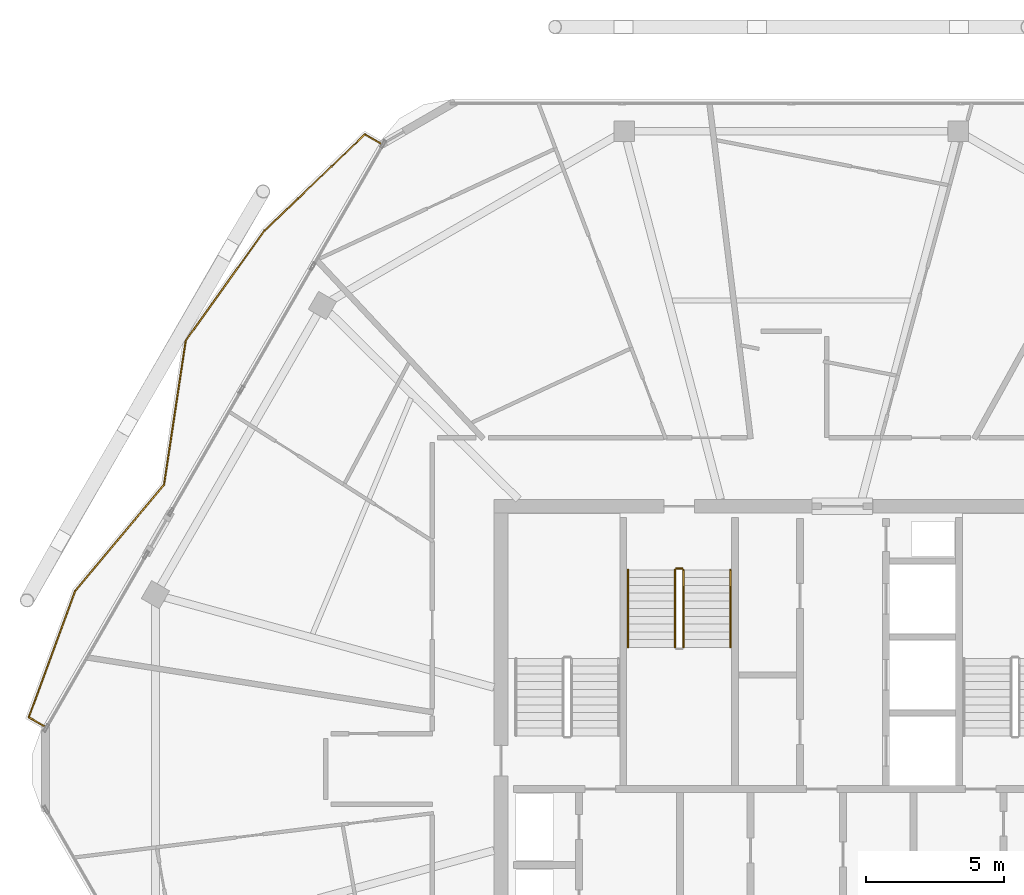
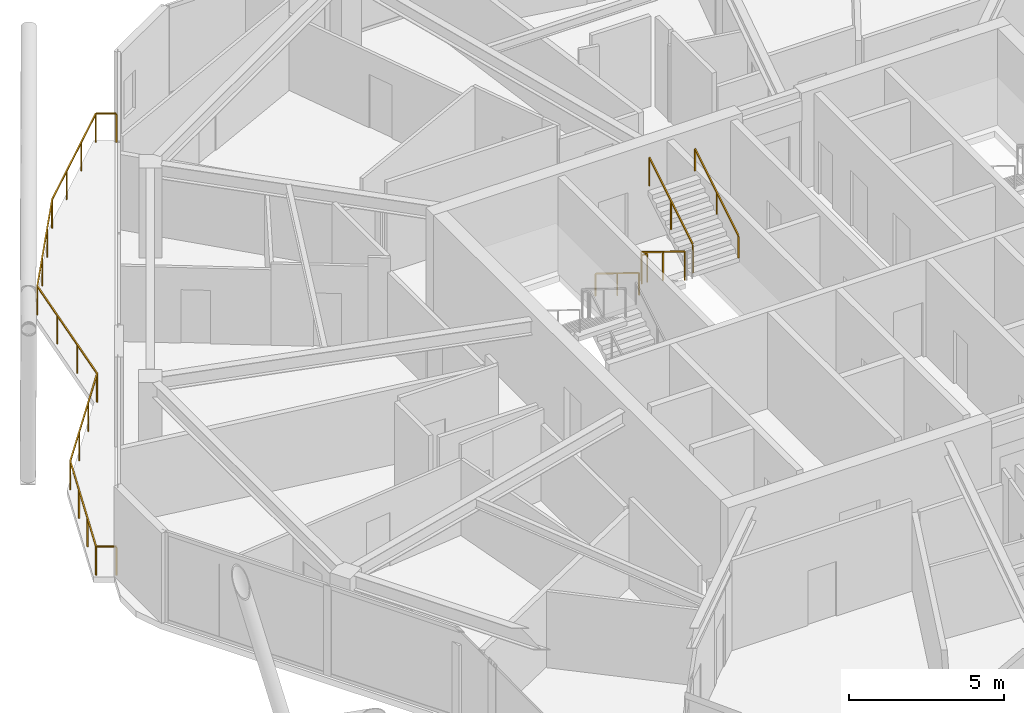
# One storey, part 24 of 24: 6 railings.
"""IFC4 building model written with IfcOpenShell, lengths in metres."""

from ifc_helpers import new_model, si_unit, direction, frame, origin, origin_2d, place, context, subcontext, project, spatial, rectangle, extrude, material, type_object, element, save


model = new_model("IFC4")

# Units and contexts
model_context = context("Model", 3, precision=1e-05, world=origin(), true_north=direction((0.0, 1.0)))
body_context = subcontext(model_context, "Body", "Model", "MODEL_VIEW")
ifc_project = project(units=[si_unit("LENGTHUNIT", "METRE"), si_unit("AREAUNIT", "SQUARE_METRE"), si_unit("VOLUMEUNIT", "CUBIC_METRE"), si_unit("PLANEANGLEUNIT", "RADIAN"), si_unit("MASSUNIT", "GRAM", prefix="KILO")], contexts=[model_context])

# Site, building, storey
site_placement = place(None, origin())
site = spatial("IfcSite", under=ifc_project, at=site_placement, CompositionType="ELEMENT")
building_placement = place(site_placement, origin())
building = spatial("IfcBuilding", under=site, at=building_placement, Name="Zuhravey Tower", CompositionType="ELEMENT")
storey_placement = place(building_placement, frame((0.0, 0.0, 338.60009765625)))
storey = spatial("IfcBuildingStorey", under=building, at=storey_placement, Name="L86", CompositionType="ELEMENT", Elevation=338.60009765625)

# Railings
ifc_material_1 = material(Name="Stainless steel 316 and laminated glass", Category="steel")
railing_type_1 = type_object("IfcRailingType", Name="Balcony & Terrace Guardrail 1150", PredefinedType="BALUSTRADE", material=ifc_material_1)
railing_1_placement = place(storey_placement, frame((8.993408203125, 33.54150390625, 0.0)))
element("IfcRailing", 1, at=railing_1_placement, inside=storey, type_object=railing_type_1, Name="L86 Face 3 Wave Balcony Guardrail GR1", PredefinedType="BALUSTRADE", context=body_context, shape_type="SweptSolid", body=[
    extrude(rectangle(XDim=0.048095703125, YDim=0.048095703125, at=origin_2d()), frame((-0.001708984375, 0.0009765625, 1.1259765625), z_axis=(-0.866011978186, 0.500023253097, 0.0), x_axis=(-0.500023253097, -0.866011978186, 0.0)), (0.0, 0.0, 1.0), 0.651611328125),
    extrude(rectangle(XDim=0.048095703125, YDim=0.048095703125, at=origin_2d()), frame((-0.567138671875, 0.329833984375, 1.1259765625), z_axis=(0.345100004619, 0.938565920334, 0.0), x_axis=(-0.938565920334, 0.345100004619, 0.0)), (0.0, 0.0, 1.0), 4.87451171875),
    extrude(rectangle(XDim=0.048095703125, YDim=0.048095703125, at=origin_2d()), frame((1.116943359375, 4.908203125, 1.1259765625), z_axis=(0.642465956821, 0.766314226884, 0.0), x_axis=(-0.766314226884, 0.642465956821, 0.0)), (0.0, 0.0, 1.0), 4.9892578125),
    extrude(rectangle(XDim=0.048095703125, YDim=0.048095703125, at=origin_2d()), frame((4.323974609375, 8.735107421875, 1.1259765625), z_axis=(0.148808806895, 0.988865986365, 0.0), x_axis=(-0.988865986365, 0.148808806895, 0.0)), (0.0, 0.0, 1.0), 5.272216796875),
    extrude(rectangle(XDim=0.048095703125, YDim=0.048095703125, at=origin_2d()), frame((5.110107421875, 13.952392578125, 1.1259765625), z_axis=(0.582138490766, 0.813089649159, 0.0), x_axis=(-0.813089649159, 0.582138490766, 0.0)), (0.0, 0.0, 1.0), 4.8935546875),
    extrude(rectangle(XDim=0.048095703125, YDim=0.048095703125, at=origin_2d()), frame((7.96142578125, 17.934326171875, 1.1259765625), z_axis=(0.722523722414, 0.691346129337, 0.0), x_axis=(-0.691346129337, 0.722523722414, 0.0)), (0.0, 0.0, 1.0), 5.023193359375),
    extrude(rectangle(XDim=0.048095703125, YDim=0.048095703125, at=origin_2d()), frame((11.593994140625, 21.407470703125, 1.1259765625), z_axis=(0.866020521143, -0.500008456887, 0.0), x_axis=(0.500008456887, 0.866020521143, 0.0)), (0.0, 0.0, 1.0), 0.6611328125),
    extrude(rectangle(XDim=0.0419921875, YDim=0.0419921875, at=origin_2d()), origin(), (0.0, 0.0, 1.0), 1.099853515625),
    extrude(rectangle(XDim=0.0419921875, YDim=0.0419921875, at=origin_2d()), frame((-0.56787109375, 0.327880859375, 0.0)), (0.0, 0.0, 1.0), 1.099853515625),
    extrude(rectangle(XDim=0.0419921875, YDim=0.0419921875, at=origin_2d()), frame((-0.006591796875, 1.854248046875, 0.0)), (0.0, 0.0, 1.0), 1.099853515625),
    extrude(rectangle(XDim=0.0419921875, YDim=0.0419921875, at=origin_2d()), frame((0.554443359375, 3.38037109375, 0.0)), (0.0, 0.0, 1.0), 1.099853515625),
    extrude(rectangle(XDim=0.0419921875, YDim=0.0419921875, at=origin_2d()), frame((1.11572265625, 4.90673828125, 0.0)), (0.0, 0.0, 1.0), 1.099853515625),
    extrude(rectangle(XDim=0.0419921875, YDim=0.0419921875, at=origin_2d()), frame((2.18505859375, 6.18212890625, 0.0)), (0.0, 0.0, 1.0), 1.099853515625),
    extrude(rectangle(XDim=0.0419921875, YDim=0.0419921875, at=origin_2d()), frame((3.25439453125, 7.457763671875, 0.0)), (0.0, 0.0, 1.0), 1.099853515625),
    extrude(rectangle(XDim=0.0419921875, YDim=0.0419921875, at=origin_2d()), frame((4.32373046875, 8.733154296875, 0.0)), (0.0, 0.0, 1.0), 1.099853515625),
    extrude(rectangle(XDim=0.0419921875, YDim=0.0419921875, at=origin_2d()), frame((4.58544921875, 10.472412109375, 0.0)), (0.0, 0.0, 1.0), 1.099853515625),
    extrude(rectangle(XDim=0.0419921875, YDim=0.0419921875, at=origin_2d()), frame((4.84716796875, 12.21142578125, 0.0)), (0.0, 0.0, 1.0), 1.099853515625),
    extrude(rectangle(XDim=0.0419921875, YDim=0.0419921875, at=origin_2d()), frame((5.10888671875, 13.95068359375, 0.0)), (0.0, 0.0, 1.0), 1.099853515625),
    extrude(rectangle(XDim=0.0419921875, YDim=0.0419921875, at=origin_2d()), frame((6.059326171875, 15.278076171875, 0.0)), (0.0, 0.0, 1.0), 1.099853515625),
    extrude(rectangle(XDim=0.0419921875, YDim=0.0419921875, at=origin_2d()), frame((7.009521484375, 16.60546875, 0.0)), (0.0, 0.0, 1.0), 1.099853515625),
    extrude(rectangle(XDim=0.0419921875, YDim=0.0419921875, at=origin_2d()), frame((7.9599609375, 17.932861328125, 0.0)), (0.0, 0.0, 1.0), 1.099853515625),
    extrude(rectangle(XDim=0.0419921875, YDim=0.0419921875, at=origin_2d()), frame((9.170654296875, 19.09130859375, 0.0)), (0.0, 0.0, 1.0), 1.099853515625),
    extrude(rectangle(XDim=0.0419921875, YDim=0.0419921875, at=origin_2d()), frame((10.381591796875, 20.25, 0.0)), (0.0, 0.0, 1.0), 1.099853515625),
    extrude(rectangle(XDim=0.0419921875, YDim=0.0419921875, at=origin_2d()), frame((11.59228515625, 21.408447265625, 0.0)), (0.0, 0.0, 1.0), 1.099853515625),
    extrude(rectangle(XDim=0.0419921875, YDim=0.0419921875, at=origin_2d()), frame((12.168212890625, 21.075927734375, 0.0)), (0.0, 0.0, 1.0), 1.099853515625),
])
ifc_material_2 = material(Name="Brushed stainless steel", Category="steel")
railing_type_2 = type_object("IfcRailingType", Name="Stair Wall Handrail 900", PredefinedType="HANDRAIL", material=ifc_material_2)
railing_2_placement = place(storey_placement, frame((30.10009765625, 39.199951171875, 0.172607421875)))
element("IfcRailing", 2, at=railing_2_placement, inside=storey, type_object=railing_type_2, Name="L86 ST3 stair handrail 1", PredefinedType="HANDRAIL", context=body_context, shape_type="SweptSolid", body=[
    extrude(rectangle(XDim=0.048095703125, YDim=0.048095703125, at=origin_2d()), frame((0.0, -0.001708984375, 0.876953125), z_axis=(0.0, -0.851089632645, 0.525020415988), x_axis=(1.0, 0.0, 0.0)), (0.0, 0.0, 1.0), 3.285888671875),
    extrude(rectangle(XDim=0.0419921875, YDim=0.0419921875, at=origin_2d()), origin(), (0.0, 0.0, 1.0), 0.849853515625),
    extrude(rectangle(XDim=0.0419921875, YDim=0.0419921875, at=origin_2d()), frame((0.0, -1.39990234375, 0.86376953125)), (0.0, 0.0, 1.0), 0.849853515625),
    extrude(rectangle(XDim=0.0419921875, YDim=0.0419921875, at=origin_2d()), frame((0.0, -2.800048828125, 1.727294921875)), (0.0, 0.0, 1.0), 0.849853515625),
])
railing_3_placement = place(storey_placement, frame((33.800048828125, 36.39990234375, 2.072509765625)))
element("IfcRailing", 3, at=railing_3_placement, inside=storey, type_object=railing_type_2, Name="L86 ST3 stair handrail 2", PredefinedType="HANDRAIL", context=body_context, shape_type="SweptSolid", body=[
    extrude(rectangle(XDim=0.048095703125, YDim=0.048095703125, at=origin_2d()), frame((0.0, 0.001708984375, 0.876953125), z_axis=(0.0, 0.851089632645, 0.525020415988), x_axis=(-1.0, 0.0, 0.0)), (0.0, 0.0, 1.0), 3.285888671875),
    extrude(rectangle(XDim=0.0419921875, YDim=0.0419921875, at=origin_2d()), origin(), (0.0, 0.0, 1.0), 0.849853515625),
    extrude(rectangle(XDim=0.0419921875, YDim=0.0419921875, at=origin_2d()), frame((0.0, 1.39990234375, 0.86376953125)), (0.0, 0.0, 1.0), 0.849853515625),
    extrude(rectangle(XDim=0.0419921875, YDim=0.0419921875, at=origin_2d()), frame((0.0, 2.800048828125, 1.727294921875)), (0.0, 0.0, 1.0), 0.849853515625),
])
ifc_material_3 = material(Name="Painted tubular steel", Category="steel")
railing_type_3 = type_object("IfcRailingType", Name="Stair Well Guardrail 1150", PredefinedType="GUARDRAIL", material=ifc_material_3)
railing_4_placement = place(storey_placement, frame((31.800048828125, 39.199951171875, 0.172607421875)))
element("IfcRailing", 4, at=railing_4_placement, inside=storey, type_object=railing_type_3, Name="L86 ST3 stair guard 1", PredefinedType="GUARDRAIL", context=body_context, shape_type="SweptSolid", body=[
    extrude(rectangle(XDim=0.048095703125, YDim=0.048095703125, at=origin_2d()), frame((0.0, -0.001708984375, 1.126953125), z_axis=(0.0, -0.851089632645, 0.525020415988), x_axis=(1.0, 0.0, 0.0)), (0.0, 0.0, 1.0), 3.285888671875),
    extrude(rectangle(XDim=0.0419921875, YDim=0.0419921875, at=origin_2d()), origin(), (0.0, 0.0, 1.0), 1.099853515625),
    extrude(rectangle(XDim=0.0419921875, YDim=0.0419921875, at=origin_2d()), frame((0.0, -1.39990234375, 0.86376953125)), (0.0, 0.0, 1.0), 1.099853515625),
    extrude(rectangle(XDim=0.0419921875, YDim=0.0419921875, at=origin_2d()), frame((0.0, -2.800048828125, 1.727294921875)), (0.0, 0.0, 1.0), 1.099853515625),
])
railing_5_placement = place(storey_placement, frame((32.10009765625, 36.39990234375, 2.072509765625)))
element("IfcRailing", 5, at=railing_5_placement, inside=storey, type_object=railing_type_3, Name="L86 ST3 stair guard 3", PredefinedType="GUARDRAIL", context=body_context, shape_type="SweptSolid", body=[
    extrude(rectangle(XDim=0.048095703125, YDim=0.048095703125, at=origin_2d()), frame((0.0, 0.001708984375, 1.126953125), z_axis=(0.0, 0.851089632645, 0.525020415988), x_axis=(-1.0, 0.0, 0.0)), (0.0, 0.0, 1.0), 3.285888671875),
    extrude(rectangle(XDim=0.0419921875, YDim=0.0419921875, at=origin_2d()), origin(), (0.0, 0.0, 1.0), 1.099853515625),
    extrude(rectangle(XDim=0.0419921875, YDim=0.0419921875, at=origin_2d()), frame((0.0, 1.39990234375, 0.86376953125)), (0.0, 0.0, 1.0), 1.099853515625),
    extrude(rectangle(XDim=0.0419921875, YDim=0.0419921875, at=origin_2d()), frame((0.0, 2.800048828125, 1.727294921875)), (0.0, 0.0, 1.0), 1.099853515625),
])
railing_6_placement = place(storey_placement, frame((31.85009765625, 39.25, 0.0)))
element("IfcRailing", 6, at=railing_6_placement, inside=storey, type_object=railing_type_3, Name="L86 ST3 stair guard 4", PredefinedType="GUARDRAIL", context=body_context, shape_type="SweptSolid", body=[
    extrude(rectangle(XDim=0.048095703125, YDim=0.048095703125, at=origin_2d()), frame((0.001953125, 0.0, 1.1259765625), z_axis=(1.0, 0.0, 0.0), x_axis=(0.0, 1.0, 0.0)), (0.0, 0.0, 1.0), 0.196044921875),
    extrude(rectangle(XDim=0.0419921875, YDim=0.0419921875, at=origin_2d()), origin(), (0.0, 0.0, 1.0), 1.099853515625),
    extrude(rectangle(XDim=0.0419921875, YDim=0.0419921875, at=origin_2d()), frame((0.199951171875, 0.0, 0.0)), (0.0, 0.0, 1.0), 1.099853515625),
])

save(model, "model.ifc")
